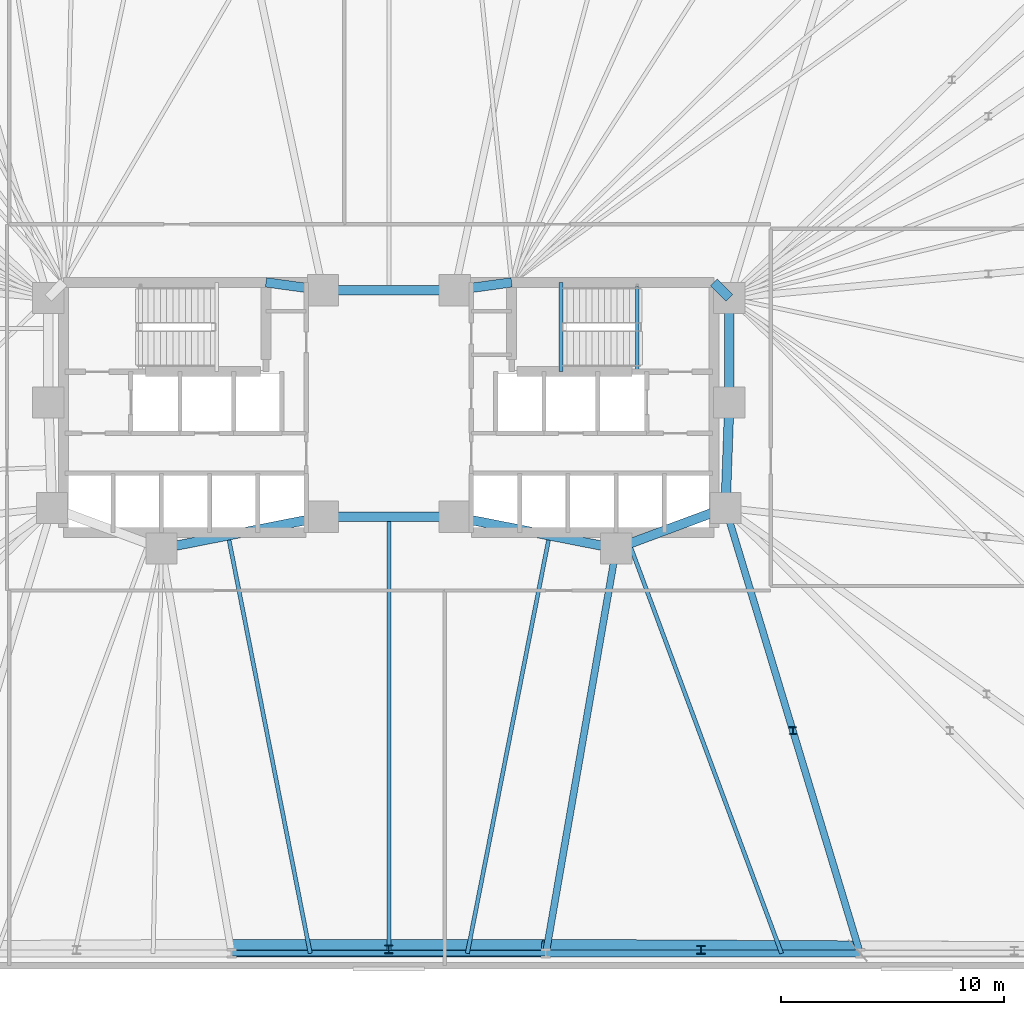
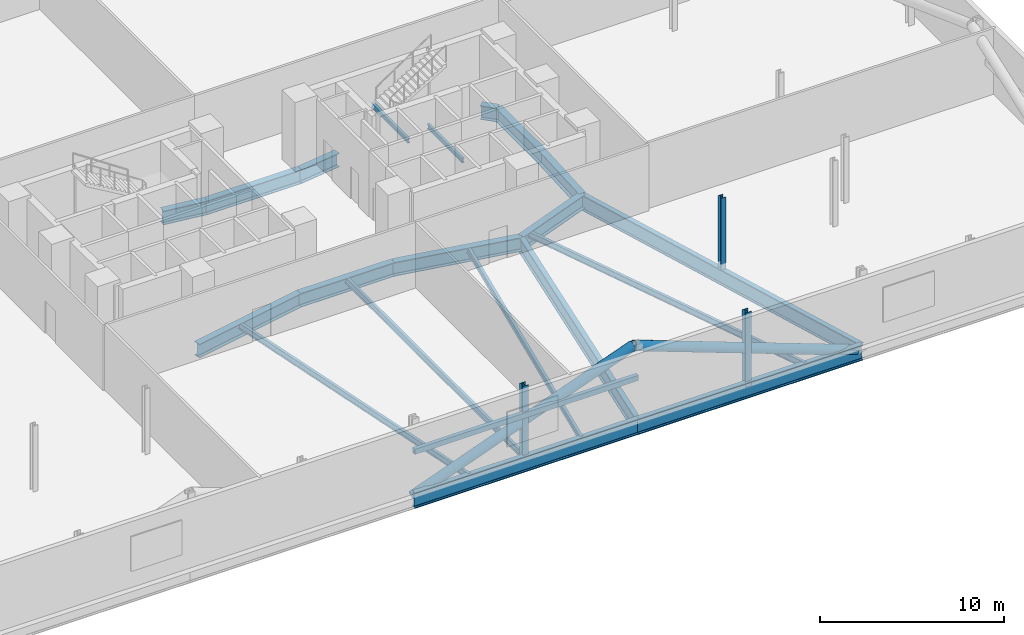
# One storey, part 7 of 17: 20 beams, 6 members.
"""IFC4 building model written with IfcOpenShell, lengths in metres."""

import ifcopenshell
import ifcopenshell.guid

model = None  # the IFC model being written
_history = None  # IfcOwnerHistory: only IFC2X3 demands one
_inside = {}  # id of a spatial element -> (the spatial element, [elements in it])
_under = {}  # id of a project, library or spatial element -> (it, [spatial elements below it])
_declared = {}  # id of a project -> (the project, [libraries it declares])
_typed = {}  # id of a type object -> (the type object, [elements of that type])
_made_of = {}  # id of a material, layer set ... -> (it, [elements and type objects made of it])


def new_model(schema):
    """Start an empty IFC model of exactly this schema.

    Asked for "IFC4X3", IfcOpenShell would pick the latest addendum, in which some entities
    have other attributes; the version numbers below select the first issue.
    IFC2X3 requires an IfcOwnerHistory on every rooted entity: one is made here for all.
    """
    global model, _history
    if schema == "IFC4X3":
        model = ifcopenshell.file(schema_version=(4, 3, 0, 0))
    else:
        model = ifcopenshell.file(schema=schema)
    _inside.clear()
    _under.clear()
    _declared.clear()
    _typed.clear()
    _made_of.clear()
    _history = None
    if model.schema == "IFC2X3":
        org = make("IfcOrganization", Name="unknown")
        user = make(
            "IfcPersonAndOrganization",
            ThePerson=make("IfcPerson", FamilyName="unknown"),
            TheOrganization=org,
        )
        app = make(
            "IfcApplication",
            ApplicationDeveloper=org,
            Version="unknown",
            ApplicationFullName="unknown",
            ApplicationIdentifier="unknown",
        )
        _history = make(
            "IfcOwnerHistory",
            OwningUser=user,
            OwningApplication=app,
            ChangeAction="ADDED",
            CreationDate=0,
        )
    return model


def make(cls, **values):
    """One entity of the class cls with the attributes given. An attribute that is None is left unset."""
    return model.create_entity(
        cls, **{name: value for name, value in values.items() if value is not None}
    )


def rooted(cls, **values):
    """An entity with a GlobalId (a new one), such as an element, a storey or a relation."""
    return make(cls, GlobalId=ifcopenshell.guid.new(), OwnerHistory=_history, **values)


def si_unit(unit_type, name, prefix=None):
    """IfcSIUnit, for example si_unit("LENGTHUNIT", "METRE", prefix="MILLI")."""
    return make("IfcSIUnit", UnitType=unit_type, Prefix=prefix, Name=name)


def assignment(units):
    """IfcUnitAssignment: the units of a project."""
    return None if units is None else make("IfcUnitAssignment", Units=units)


def point(xyz):
    """IfcCartesianPoint."""
    return None if xyz is None else make("IfcCartesianPoint", Coordinates=xyz)


def direction(xyz):
    """IfcDirection."""
    return None if xyz is None else make("IfcDirection", DirectionRatios=xyz)


def frame(location, z_axis=None, x_axis=None):
    """IfcAxis2Placement3D, a coordinate frame: its origin and axes. An axis left out is left unset."""
    return make(
        "IfcAxis2Placement3D",
        Location=point(location),
        Axis=direction(z_axis),
        RefDirection=direction(x_axis),
    )


def frame_2d(location, x_axis=None):
    """IfcAxis2Placement2D, a coordinate frame in the plane: its origin and x axis."""
    return make(
        "IfcAxis2Placement2D", Location=point(location), RefDirection=direction(x_axis)
    )


def origin():
    """The frame at (0, 0, 0) with its axes left unset."""
    return frame((0.0, 0.0, 0.0))


def origin_2d():
    """The frame at (0, 0) in the plane with its x axis left unset."""
    return frame_2d((0.0, 0.0))


def place(relative_to, where):
    """IfcLocalPlacement: puts the frame where relative to a parent placement (None: the world)."""
    return make(
        "IfcLocalPlacement", PlacementRelTo=relative_to, RelativePlacement=where
    )


def context(
    kind, dimensions, precision=None, world=None, true_north=None, identifier=None
):
    """IfcGeometricRepresentationContext, for example the 3D "Model" context."""
    return make(
        "IfcGeometricRepresentationContext",
        ContextIdentifier=identifier,
        ContextType=kind,
        CoordinateSpaceDimension=dimensions,
        Precision=precision,
        WorldCoordinateSystem=world,
        TrueNorth=true_north,
    )


def subcontext(parent, identifier, kind, view, scale=None):
    """IfcGeometricRepresentationSubContext, for example "Body" below "Model"."""
    return make(
        "IfcGeometricRepresentationSubContext",
        ContextIdentifier=identifier,
        ContextType=kind,
        ParentContext=parent,
        TargetScale=scale,
        TargetView=view,
    )


def project(units=None, contexts=None):
    """IfcProject with its units and contexts."""
    return rooted(
        "IfcProject",
        Name="project",
        RepresentationContexts=contexts,
        UnitsInContext=assignment(units),
    )


def spatial(cls, under=None, at=None, **own):
    """A site, building, storey or space (cls), placed at a placement, below another one or the project."""
    s = rooted(cls, ObjectPlacement=at, **own)
    if under is not None:
        _under.setdefault(under.id(), (under, []))[1].append(s)
    return s


def profile(cls, at=None, kind="AREA", **sizes):
    """A parametric profile (cls). Its sizes go by their IFC names, for example OverallWidth=200.0."""
    return make(cls, ProfileType=kind, Position=at, **sizes)


def hollow_rectangle(**sizes):
    """IfcRectangleHollowProfileDef."""
    return profile("IfcRectangleHollowProfileDef", **sizes)


def hollow_circle(**sizes):
    """IfcCircleHollowProfileDef."""
    return profile("IfcCircleHollowProfileDef", **sizes)


def i_section(**sizes):
    """IfcIShapeProfileDef."""
    return profile("IfcIShapeProfileDef", **sizes)


def extrude(swept, where, along, depth):
    """IfcExtrudedAreaSolid: the profile swept, set in the frame where, extruded along a direction by depth."""
    return make(
        "IfcExtrudedAreaSolid",
        SweptArea=swept,
        Position=where,
        ExtrudedDirection=direction(along),
        Depth=depth,
    )


def shape(context_of_items, identifier, shape_type, items):
    """IfcShapeRepresentation: the items that make up one representation, for example the "Body"."""
    return make(
        "IfcShapeRepresentation",
        ContextOfItems=context_of_items,
        RepresentationIdentifier=identifier,
        RepresentationType=shape_type,
        Items=items,
    )


def material(Name=None, Category=None):
    """IfcMaterial."""
    return make("IfcMaterial", Name=Name, Category=Category)


def material_profile(
    of_material, cross_section, Name=None, Category=None, Priority=None
):
    """IfcMaterialProfile: a cross section and its material."""
    return make(
        "IfcMaterialProfile",
        Name=Name,
        Material=of_material,
        Profile=cross_section,
        Priority=Priority,
        Category=Category,
    )


def profile_set(profiles, Name=None, composite=None):
    """IfcMaterialProfileSet."""
    return make(
        "IfcMaterialProfileSet",
        Name=Name,
        MaterialProfiles=profiles,
        CompositeProfile=composite,
    )


def made_of(thing, what):
    """Note that an element or type object is made of a material, layer set ...; save() writes the relation."""
    if what is not None:
        _made_of.setdefault(what.id(), (what, []))[1].append(thing)
    return thing


def type_object(cls, material=None, **own):
    """A type object (cls), such as IfcWallType, which elements share."""
    return made_of(rooted(cls, **own), material)


def element(
    cls,
    number,
    at=None,
    inside=None,
    cuts=None,
    type_object=None,
    material=None,
    context=None,
    identifier="Body",
    shape_type=None,
    held_by="IfcProductDefinitionShape",
    body=None,
    shapes=None,
    **own,
):
    """One element of the class cls, such as IfcWall. Its Tag is "e" and its number.

    at: its placement. inside: the storey or other place that contains it. cuts: it is an
    opening in that element (IfcRelVoidsElement). A single representation is given by context,
    identifier, shape_type and body (its items); several are given by shapes. held_by: the class
    of the entity that holds the representations. save() writes the other relations.
    """
    e = rooted(cls, Tag="e%d" % number, ObjectPlacement=at, **own)
    if body is not None:
        shapes = [shape(context, identifier, shape_type, body)]
    if shapes is not None:
        e.Representation = make(held_by, Representations=shapes)
    if inside is not None:
        _inside.setdefault(inside.id(), (inside, []))[1].append(e)
    if cuts is not None:
        rooted(
            "IfcRelVoidsElement", RelatingBuildingElement=cuts, RelatedOpeningElement=e
        )
    if type_object is not None:
        _typed.setdefault(type_object.id(), (type_object, []))[1].append(e)
    return made_of(e, material)


def aggregate(whole, parts):
    """IfcRelAggregates: a whole, such as a stair, and the parts it consists of."""
    return rooted("IfcRelAggregates", RelatingObject=whole, RelatedObjects=parts)


def save(model, path):
    """Write the relations noted so far, then the file.

    IfcRelAggregates (storeys below a building ...), IfcRelContainedInSpatialStructure (elements
    in a storey), IfcRelDefinesByType, IfcRelAssociatesMaterial and IfcRelDeclares: one each for
    every whole, place, type object, material and project.
    """
    for whole, parts in _under.values():
        aggregate(whole, parts)
    for where, things in _inside.values():
        rooted(
            "IfcRelContainedInSpatialStructure",
            RelatedElements=things,
            RelatingStructure=where,
        )
    for kind, things in _typed.values():
        rooted("IfcRelDefinesByType", RelatedObjects=things, RelatingType=kind)
    for what, things in _made_of.values():
        rooted("IfcRelAssociatesMaterial", RelatedObjects=things, RelatingMaterial=what)
    for by, libraries in _declared.values():
        rooted("IfcRelDeclares", RelatingContext=by, RelatedDefinitions=libraries)
    model.write(path)


model = new_model("IFC4")

# Units and contexts
model_context = context("Model", 3, precision=1e-05, world=origin(), true_north=direction((0.0, 1.0)))
body_context = subcontext(model_context, "Body", "Model", "MODEL_VIEW")
ifc_project = project(units=[si_unit("LENGTHUNIT", "METRE"), si_unit("AREAUNIT", "SQUARE_METRE"), si_unit("VOLUMEUNIT", "CUBIC_METRE"), si_unit("PLANEANGLEUNIT", "RADIAN"), si_unit("MASSUNIT", "GRAM", prefix="KILO")], contexts=[model_context])

# Site, building, storey
site_placement = place(None, origin())
site = spatial("IfcSite", under=ifc_project, at=site_placement, CompositionType="ELEMENT")
building_placement = place(site_placement, origin())
building = spatial("IfcBuilding", under=site, at=building_placement, Name="Menara Jurai Vektor", CompositionType="ELEMENT")
storey_placement = place(building_placement, frame((0.0, 0.0, 9.60009765625)))
storey = spatial("IfcBuildingStorey", under=building, at=storey_placement, Name="L01", CompositionType="ELEMENT", Elevation=9.60009765625)

# Beams
ifc_material_1 = material(Name="Steel S460", Category="steel")
ifc_material_profile_1 = material_profile(ifc_material_1, i_section(OverallWidth=0.30908203125, OverallDepth=1.035888671875, WebThickness=0.030029296875, FlangeThickness=0.053955078125, FilletRadius=0.030029296875, at=origin_2d()), Name="UKB 1016x305x487")
ifc_profile_set_1 = profile_set([ifc_material_profile_1], Name="Steel S460")
beam_type_1 = type_object("IfcBeamType", Name="STR-BM-TR1016", PredefinedType="BEAM", material=ifc_profile_set_1)
beam_1_placement = place(storey_placement, frame((-7.03564453125, -24.449951171875, -0.923095703125), z_axis=(1.0, 0.0, 0.0), x_axis=(0.0, 1.0, 0.0)))
element("IfcBeam", 1, at=beam_1_placement, inside=storey, type_object=beam_type_1, Name="Belt Truss Bottom Chord L01-03", PredefinedType="BEAM", context=body_context, shape_type="SweptSolid", body=[
    extrude(i_section(OverallWidth=0.30908203125, OverallDepth=1.035888671875, WebThickness=0.030029296875, FlangeThickness=0.053955078125, FilletRadius=0.030029296875, at=origin_2d()), origin(), (0.0, 0.0, 1.0), 14.0712890625),
])
beam_2_placement = place(storey_placement, frame((7.03564453125, -24.449951171875, -0.923095703125), z_axis=(1.0, 0.0, 0.0), x_axis=(0.0, 1.0, 0.0)))
element("IfcBeam", 2, at=beam_2_placement, inside=storey, type_object=beam_type_1, Name="Belt Truss Bottom Chord L01-04", PredefinedType="BEAM", context=body_context, shape_type="SweptSolid", body=[
    extrude(i_section(OverallWidth=0.30908203125, OverallDepth=1.035888671875, WebThickness=0.030029296875, FlangeThickness=0.053955078125, FilletRadius=0.030029296875, at=origin_2d()), origin(), (0.0, 0.0, 1.0), 14.071044921875),
])
beam_3_placement = place(storey_placement, frame((7.03564453125, -24.449951171875, -0.923095703125), z_axis=(0.170880325642, 0.985291791455, 0.0), x_axis=(-0.985291791455, 0.170880325642, 0.0)))
element("IfcBeam", 3, at=beam_3_placement, inside=storey, type_object=beam_type_1, Name="Outrigger Transfer Girder L01-S4", PredefinedType="BEAM", context=body_context, shape_type="SweptSolid", body=[
    extrude(i_section(OverallWidth=0.30908203125, OverallDepth=1.035888671875, WebThickness=0.030029296875, FlangeThickness=0.053955078125, FilletRadius=0.030029296875, at=origin_2d()), origin(), (0.0, 0.0, 1.0), 18.400634765625),
])
beam_4_placement = place(storey_placement, frame((21.106689453125, -24.449951171875, -0.923095703125), z_axis=(-0.289179812203, 0.957274796604, 0.0), x_axis=(-0.957274796604, -0.289179812203, 0.0)))
element("IfcBeam", 4, at=beam_4_placement, inside=storey, type_object=beam_type_1, Name="Outrigger Transfer Girder L01-S5", PredefinedType="BEAM", context=body_context, shape_type="SweptSolid", body=[
    extrude(i_section(OverallWidth=0.30908203125, OverallDepth=1.035888671875, WebThickness=0.030029296875, FlangeThickness=0.053955078125, FilletRadius=0.030029296875, at=origin_2d()), origin(), (0.0, 0.0, 1.0), 20.84033203125),
])
ifc_material_profile_2 = material_profile(ifc_material_1, i_section(OverallWidth=0.4208984375, OverallDepth=0.9208984375, WebThickness=0.02099609375, FlangeThickness=0.037109375, FilletRadius=0.02392578125, at=origin_2d()), Name="UKB 914x419x388")
ifc_profile_set_2 = profile_set([ifc_material_profile_2], Name="Steel S460")
beam_type_2 = type_object("IfcBeamType", Name="STR-BM-TR914", PredefinedType="BEAM", material=ifc_profile_set_2)
beam_5_placement = place(storey_placement, frame((-5.5, 5.60009765625, -0.865478515625), z_axis=(0.990706818608, -0.136014703483, 0.0), x_axis=(0.136014703483, 0.990706818608, 0.0)))
element("IfcBeam", 5, at=beam_5_placement, inside=storey, type_object=beam_type_2, Name="Core Ring Header Girder L01-CHW-N2", PredefinedType="BEAM", context=body_context, shape_type="SweptSolid", body=[
    extrude(i_section(OverallWidth=0.4208984375, OverallDepth=0.9208984375, WebThickness=0.02099609375, FlangeThickness=0.037109375, FilletRadius=0.02392578125, at=origin_2d()), origin(), (0.0, 0.0, 1.0), 2.573974609375),
])
beam_6_placement = place(storey_placement, frame((-10.179931640625, -6.320068359375, -0.865478515625), z_axis=(0.981249044334, 0.192744164614, 0.0), x_axis=(-0.192744164614, 0.981249044334, 0.0)))
element("IfcBeam", 6, at=beam_6_placement, inside=storey, type_object=beam_type_2, Name="Core Ring Header Girder L01-CHW-S2", PredefinedType="BEAM", context=body_context, shape_type="SweptSolid", body=[
    extrude(i_section(OverallWidth=0.4208984375, OverallDepth=0.9208984375, WebThickness=0.02099609375, FlangeThickness=0.037109375, FilletRadius=0.02392578125, at=origin_2d()), origin(), (0.0, 0.0, 1.0), 7.3681640625),
])
beam_7_placement = place(storey_placement, frame((2.949951171875, 5.25, -0.865478515625), z_axis=(0.990706818608, 0.136014703483, 0.0), x_axis=(-0.136014703483, 0.990706818608, 0.0)))
element("IfcBeam", 7, at=beam_7_placement, inside=storey, type_object=beam_type_2, Name="Core Ring Header Girder L01-CHE-N1", PredefinedType="BEAM", context=body_context, shape_type="SweptSolid", body=[
    extrude(i_section(OverallWidth=0.4208984375, OverallDepth=0.9208984375, WebThickness=0.02099609375, FlangeThickness=0.037109375, FilletRadius=0.02392578125, at=origin_2d()), origin(), (0.0, 0.0, 1.0), 2.573974609375),
])
beam_8_placement = place(storey_placement, frame((14.56005859375, 5.60009765625, -0.865478515625), z_axis=(0.701871936926, -0.712303154672, 0.0), x_axis=(0.712303154672, 0.701871936926, 0.0)))
element("IfcBeam", 8, at=beam_8_placement, inside=storey, type_object=beam_type_2, Name="Core Ring Header Girder L01-CHE-N2", PredefinedType="BEAM", context=body_context, shape_type="SweptSolid", body=[
    extrude(i_section(OverallWidth=0.4208984375, OverallDepth=0.9208984375, WebThickness=0.02099609375, FlangeThickness=0.037109375, FilletRadius=0.02392578125, at=origin_2d()), origin(), (0.0, 0.0, 1.0), 0.98291015625),
])
beam_9_placement = place(storey_placement, frame((15.25, 0.219970703125, -0.865478515625), z_axis=(0.0, 1.0, 0.0), x_axis=(-1.0, 0.0, 0.0)))
element("IfcBeam", 9, at=beam_9_placement, inside=storey, type_object=beam_type_2, Name="Core Ring Header Girder L01-CHE-E1", PredefinedType="BEAM", context=body_context, shape_type="SweptSolid", body=[
    extrude(i_section(OverallWidth=0.4208984375, OverallDepth=0.9208984375, WebThickness=0.02099609375, FlangeThickness=0.037109375, FilletRadius=0.02392578125, at=origin_2d()), origin(), (0.0, 0.0, 1.0), 4.679931640625),
])
beam_10_placement = place(storey_placement, frame((15.080078125, -4.5, -0.865478515625), z_axis=(0.035977314146, 0.999352606874, 0.0), x_axis=(-0.999352606874, 0.035977314146, 0.0)))
element("IfcBeam", 10, at=beam_10_placement, inside=storey, type_object=beam_type_2, Name="Core Ring Header Girder L01-CHE-E2", PredefinedType="BEAM", context=body_context, shape_type="SweptSolid", body=[
    extrude(i_section(OverallWidth=0.4208984375, OverallDepth=0.9208984375, WebThickness=0.02099609375, FlangeThickness=0.037109375, FilletRadius=0.02392578125, at=origin_2d()), origin(), (0.0, 0.0, 1.0), 4.72314453125),
])
beam_11_placement = place(storey_placement, frame((10.179931640625, -6.320068359375, -0.865478515625), z_axis=(0.937424400887, 0.348188874925, 0.0), x_axis=(-0.348188874925, 0.937424400887, 0.0)))
element("IfcBeam", 11, at=beam_11_placement, inside=storey, type_object=beam_type_2, Name="Core Ring Header Girder L01-CHE-S1", PredefinedType="BEAM", context=body_context, shape_type="SweptSolid", body=[
    extrude(i_section(OverallWidth=0.4208984375, OverallDepth=0.9208984375, WebThickness=0.02099609375, FlangeThickness=0.037109375, FilletRadius=0.02392578125, at=origin_2d()), origin(), (0.0, 0.0, 1.0), 5.227294921875),
])
beam_12_placement = place(storey_placement, frame((2.949951171875, -4.89990234375, -0.865478515625), z_axis=(0.981249044334, -0.192744164614, 0.0), x_axis=(0.192744164614, 0.981249044334, 0.0)))
element("IfcBeam", 12, at=beam_12_placement, inside=storey, type_object=beam_type_2, Name="Core Ring Header Girder L01-CHE-S2", PredefinedType="BEAM", context=body_context, shape_type="SweptSolid", body=[
    extrude(i_section(OverallWidth=0.4208984375, OverallDepth=0.9208984375, WebThickness=0.02099609375, FlangeThickness=0.037109375, FilletRadius=0.02392578125, at=origin_2d()), origin(), (0.0, 0.0, 1.0), 7.3681640625),
])
for number, where, z_axis, x_axis, name in (
    (13, (-2.949951171875, -4.89990234375, -0.865478515625), (1.0, 0.0, 0.0), (0.0, 1.0, 0.0), "Core Ring Header Girder L01-CC-1"),
    (14, (-2.949951171875, 5.25, -0.865478515625), (1.0, 0.0, 0.0), (0.0, 1.0, 0.0), "Core Ring Header Girder L01-CC-2"),
):
    element("IfcBeam", number, at=place(storey_placement, frame(where, z_axis=z_axis, x_axis=x_axis)), inside=storey, type_object=beam_type_2, Name=name, PredefinedType="BEAM", context=body_context, shape_type="SweptSolid", body=[
        extrude(i_section(OverallWidth=0.4208984375, OverallDepth=0.9208984375, WebThickness=0.02099609375, FlangeThickness=0.037109375, FilletRadius=0.02392578125, at=origin_2d()), origin(), (0.0, 0.0, 1.0), 5.89990234375),
    ])

# Members
ifc_material_profile_3 = material_profile(ifc_material_1, hollow_circle(Radius=0.304931640625, WallThickness=0.02490234375, at=origin_2d()), Name="CHS 610x25")
ifc_profile_set_3 = profile_set([ifc_material_profile_3], Name="Steel S460")
member_type_1 = type_object("IfcMemberType", Name="STR-BR-610", PredefinedType="BRACE", material=ifc_profile_set_3)
member_1_placement = place(storey_placement, frame((-6.94140625, -24.123291015625, -0.923095703125), z_axis=(0.93779033167, 0.0, 0.347202093638), x_axis=(0.0, 1.0, 0.0)))
element("IfcMember", 15, at=member_1_placement, inside=storey, type_object=member_type_1, Name="Belt Truss Web Diagonal L01-03", PredefinedType="BRACE", context=body_context, shape_type="SweptSolid", body=[
    extrude(hollow_circle(Radius=0.304931640625, WallThickness=0.02490234375, at=origin_2d()), origin(), (0.0, 0.0, 1.0), 14.8037109375),
])
member_2_placement = place(storey_placement, frame((20.884521484375, -24.192626953125, -0.923095703125), z_axis=(-0.938268373414, 0.004665794997, 0.345876697405), x_axis=(-0.004972710837, -0.999987635997, 0.0)))
element("IfcMember", 16, at=member_2_placement, inside=storey, type_object=member_type_1, Name="Belt Truss Web Diagonal L01-04", PredefinedType="BRACE", context=body_context, shape_type="SweptSolid", body=[
    extrude(hollow_circle(Radius=0.304931640625, WallThickness=0.02490234375, at=origin_2d()), origin(), (0.0, 0.0, 1.0), 14.860595703125),
])
ifc_material_profile_4 = material_profile(ifc_material_1, hollow_rectangle(XDim=0.25, YDim=0.35009765625, WallThickness=0.012451171875, at=origin_2d()), Name="RHS 350x250x12.5")
ifc_profile_set_4 = profile_set([ifc_material_profile_4], Name="Steel S460")
member_type_2 = type_object("IfcMemberType", Name="STR-CH-RHS350", PredefinedType="CHORD", material=ifc_profile_set_4)
member_3_placement = place(storey_placement, frame((-7.03564453125, -24.449951171875, 2.2998046875), z_axis=(1.0, 0.0, 0.0), x_axis=(0.0, 1.0, 0.0)))
element("IfcMember", 17, at=member_3_placement, inside=storey, type_object=member_type_2, Name="Belt Truss Mid Chord L01-03", PredefinedType="CHORD", context=body_context, shape_type="SweptSolid", body=[
    extrude(hollow_rectangle(XDim=0.25, YDim=0.35009765625, WallThickness=0.012451171875, at=origin_2d()), origin(), (0.0, 0.0, 1.0), 14.0712890625),
])

# Beams
ifc_material_2 = material(Name="Steel S355", Category="steel")
ifc_material_profile_5 = material_profile(ifc_material_2, i_section(OverallWidth=0.178955078125, OverallDepth=0.408935546875, WebThickness=0.009033203125, FlangeThickness=0.013916015625, FilletRadius=0.010009765625, at=origin_2d()), Name="UKB 406x178x67")
ifc_profile_set_5 = profile_set([ifc_material_profile_5], Name="Steel S355")
beam_type_3 = type_object("IfcBeamType", Name="STR-JS-406", PredefinedType="JOIST", material=ifc_profile_set_5)
beam_13_placement = place(storey_placement, frame((-3.517822265625, -24.449951171875, -0.609619140625), z_axis=(-0.192723076671, 0.981253186348, 0.0), x_axis=(-0.981253186348, -0.192723076671, 0.0)))
element("IfcBeam", 18, at=beam_13_placement, inside=storey, type_object=beam_type_3, Name="Radial Secondary Floor Joist L01-JS04", PredefinedType="JOIST", context=body_context, shape_type="SweptSolid", body=[
    extrude(i_section(OverallWidth=0.178955078125, OverallDepth=0.408935546875, WebThickness=0.009033203125, FlangeThickness=0.013916015625, FilletRadius=0.010009765625, at=origin_2d()), origin(), (0.0, 0.0, 1.0), 19.07421875),
])
beam_14_placement = place(storey_placement, frame((0.0, -24.449951171875, -0.609619140625), z_axis=(0.0, 1.0, 0.0), x_axis=(-1.0, 0.0, 0.0)))
element("IfcBeam", 19, at=beam_14_placement, inside=storey, type_object=beam_type_3, Name="Radial Secondary Floor Joist L01-JS05", PredefinedType="JOIST", context=body_context, shape_type="SweptSolid", body=[
    extrude(i_section(OverallWidth=0.178955078125, OverallDepth=0.408935546875, WebThickness=0.009033203125, FlangeThickness=0.013916015625, FilletRadius=0.010009765625, at=origin_2d()), origin(), (0.0, 0.0, 1.0), 19.550048828125),
])
beam_15_placement = place(storey_placement, frame((3.517822265625, -24.449951171875, -0.609619140625), z_axis=(0.192723076671, 0.981253186348, 0.0), x_axis=(-0.981253186348, 0.192723076671, 0.0)))
element("IfcBeam", 20, at=beam_15_placement, inside=storey, type_object=beam_type_3, Name="Radial Secondary Floor Joist L01-JS06", PredefinedType="JOIST", context=body_context, shape_type="SweptSolid", body=[
    extrude(i_section(OverallWidth=0.178955078125, OverallDepth=0.408935546875, WebThickness=0.009033203125, FlangeThickness=0.013916015625, FilletRadius=0.010009765625, at=origin_2d()), origin(), (0.0, 0.0, 1.0), 19.07421875),
])
beam_16_placement = place(storey_placement, frame((17.5888671875, -24.449951171875, -0.609619140625), z_axis=(-0.348179014223, 0.937428063403, 0.0), x_axis=(-0.937428063403, -0.348179014223, 0.0)))
element("IfcBeam", 21, at=beam_16_placement, inside=storey, type_object=beam_type_3, Name="Radial Secondary Floor Joist L01-JS07", PredefinedType="JOIST", context=body_context, shape_type="SweptSolid", body=[
    extrude(i_section(OverallWidth=0.178955078125, OverallDepth=0.408935546875, WebThickness=0.009033203125, FlangeThickness=0.013916015625, FilletRadius=0.010009765625, at=origin_2d()), origin(), (0.0, 0.0, 1.0), 19.5751953125),
])
ifc_material_profile_6 = material_profile(ifc_material_2, i_section(OverallWidth=0.1650390625, OverallDepth=0.302978515625, WebThickness=0.006103515625, FlangeThickness=0.010009765625, FilletRadius=0.009033203125, at=origin_2d()), Name="UKB 305x165x40")
ifc_profile_set_6 = profile_set([ifc_material_profile_6], Name="Steel S355")
beam_type_4 = type_object("IfcBeamType", Name="STR-LN-305", PredefinedType="LINTEL", material=ifc_profile_set_6)
beam_17_placement = place(storey_placement, frame((11.1201171875, 1.60009765625, -0.556640625), z_axis=(0.0, 1.0, 0.0), x_axis=(-1.0, 0.0, 0.0)))
element("IfcBeam", 22, at=beam_17_placement, inside=storey, type_object=beam_type_4, Name="Stair Well Floor Trimmer ST2 L01", PredefinedType="LINTEL", context=body_context, shape_type="SweptSolid", body=[
    extrude(i_section(OverallWidth=0.1650390625, OverallDepth=0.302978515625, WebThickness=0.006103515625, FlangeThickness=0.010009765625, FilletRadius=0.009033203125, at=origin_2d()), origin(), (0.0, 0.0, 1.0), 3.81982421875),
])
beam_18_placement = place(storey_placement, frame((7.7099609375, 1.60009765625, 1.948486328125), z_axis=(0.0, 1.0, 0.0), x_axis=(-1.0, 0.0, 0.0)))
element("IfcBeam", 23, at=beam_18_placement, inside=storey, type_object=beam_type_4, Name="Stair Half-Landing Nosing Trimmer ST2-1 L01", PredefinedType="LINTEL", context=body_context, shape_type="SweptSolid", body=[
    extrude(i_section(OverallWidth=0.1650390625, OverallDepth=0.302978515625, WebThickness=0.006103515625, FlangeThickness=0.010009765625, FilletRadius=0.009033203125, at=origin_2d()), origin(), (0.0, 0.0, 1.0), 4.0),
])

# Members
ifc_material_profile_7 = material_profile(ifc_material_1, i_section(OverallWidth=0.31103515625, OverallDepth=0.326904296875, WebThickness=0.01611328125, FlangeThickness=0.02490234375, FilletRadius=0.014892578125, at=origin_2d()), Name="UKC 305x305x158")
ifc_profile_set_7 = profile_set([ifc_material_profile_7], Name="Steel S460")
member_type_3 = type_object("IfcMemberType", Name="STR-POST-305", PredefinedType="POST", material=ifc_profile_set_7)
member_4_placement = place(storey_placement, frame((18.09326171875, -14.47509765625, -0.405029296875), z_axis=(0.0, 0.0, 1.0), x_axis=(1.0, 0.0, 0.0)))
element("IfcMember", 24, at=member_4_placement, inside=storey, type_object=member_type_3, Name="Girder Hanger L01-S5", PredefinedType="POST", context=body_context, shape_type="SweptSolid", body=[
    extrude(i_section(OverallWidth=0.31103515625, OverallDepth=0.326904296875, WebThickness=0.01611328125, FlangeThickness=0.02490234375, FilletRadius=0.014892578125, at=origin_2d()), origin(), (0.0, 0.0, 1.0), 4.780029296875),
])
ifc_material_profile_8 = material_profile(ifc_material_1, i_section(OverallWidth=0.375, OverallDepth=0.375, WebThickness=0.01708984375, FlangeThickness=0.027099609375, FilletRadius=0.014892578125, at=origin_2d()), Name="UKC 356x368x202")
ifc_profile_set_8 = profile_set([ifc_material_profile_8], Name="Steel S460")
member_type_4 = type_object("IfcMemberType", Name="STR-POST-368", PredefinedType="POST", material=ifc_profile_set_8)
for number, where, z_axis, x_axis, name in (
    (25, (0.0, -24.27001953125, -0.755126953125), (0.0, 0.0, 1.0), (1.0, 0.0, 0.0), "Belt Truss Vertical Web Post L01-03"),
    (26, (13.981201171875, -24.2939453125, -0.755126953125), (0.0, 0.0, 1.0), (1.0, 0.0, 0.0), "Belt Truss Vertical Web Post L01-04"),
):
    element("IfcMember", number, at=place(storey_placement, frame(where, z_axis=z_axis, x_axis=x_axis)), inside=storey, type_object=member_type_4, Name=name, PredefinedType="POST", context=body_context, shape_type="SweptSolid", body=[
        extrude(i_section(OverallWidth=0.375, OverallDepth=0.375, WebThickness=0.01708984375, FlangeThickness=0.027099609375, FilletRadius=0.014892578125, at=origin_2d()), origin(), (0.0, 0.0, 1.0), 4.929931640625),
    ])

save(model, "model.ifc")
